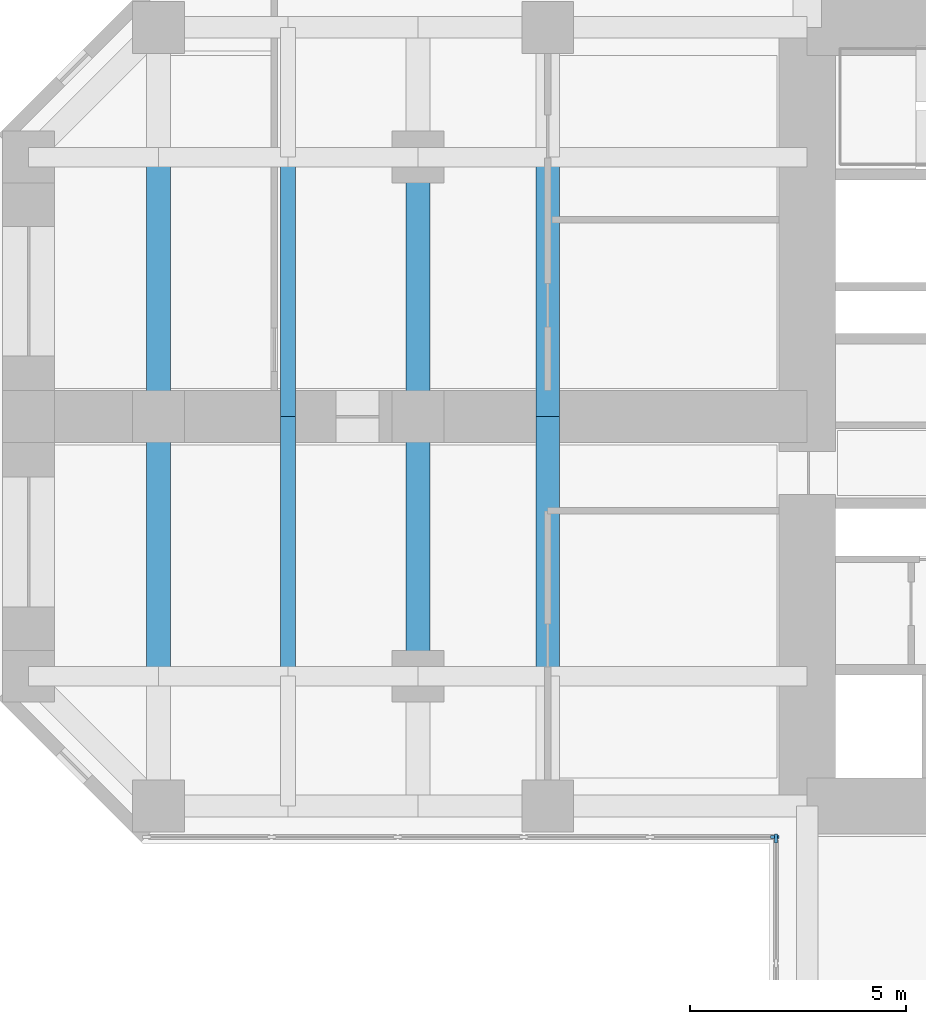
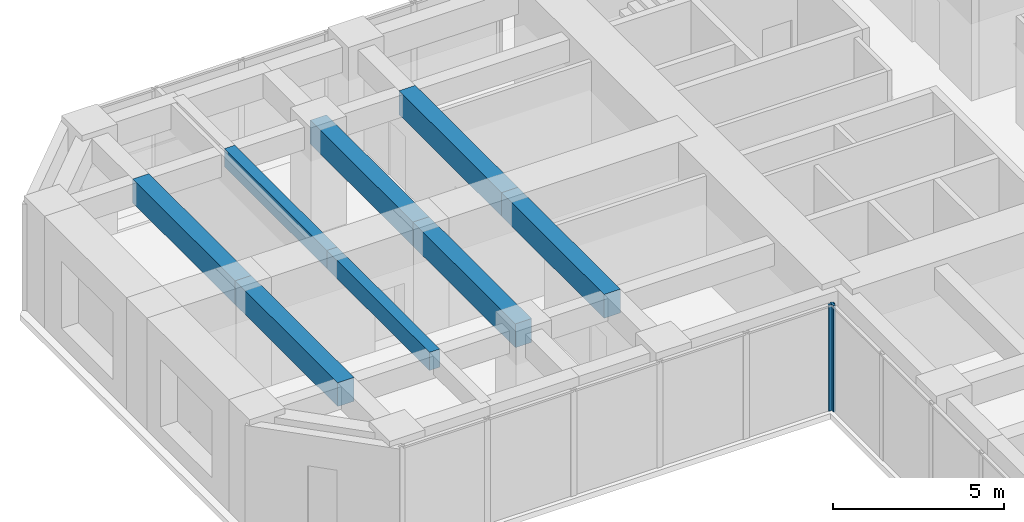
# One storey, part 3 of 12: 8 beams, 2 members, 2 elements without a shape of their own.
"""IFC4 building model written with IfcOpenShell, lengths in metres."""

from ifc_helpers import new_model, si_unit, direction, frame, origin, origin_2d, place, context, subcontext, project, spatial, rectangle, extrude, material, material_profile, profile_set, type_object, element, aggregate, save


model = new_model("IFC4")

# Units and contexts
model_context = context("Model", 3, precision=1e-05, world=origin(), true_north=direction((0.0, 1.0)))
body_context = subcontext(model_context, "Body", "Model", "MODEL_VIEW")
ifc_project = project(units=[si_unit("LENGTHUNIT", "METRE"), si_unit("AREAUNIT", "SQUARE_METRE"), si_unit("VOLUMEUNIT", "CUBIC_METRE"), si_unit("PLANEANGLEUNIT", "RADIAN"), si_unit("MASSUNIT", "GRAM", prefix="KILO")], contexts=[model_context])

# Site, building, storey
site_placement = place(None, origin())
site = spatial("IfcSite", under=ifc_project, at=site_placement, CompositionType="ELEMENT")
building_placement = place(site_placement, origin())
building = spatial("IfcBuilding", under=site, at=building_placement, Name="Torre Cruceta", CompositionType="ELEMENT")
storey_placement = place(building_placement, frame((0.0, 0.0, 79.5)))
storey = spatial("IfcBuildingStorey", under=building, at=storey_placement, Name="L19", CompositionType="ELEMENT", Elevation=79.5)

# Beams
ifc_material_1 = material(Name="Concrete G60 (fck 60 MPa)", Category="concrete")
ifc_material_profile_1 = material_profile(ifc_material_1, rectangle(XDim=0.550048828125, YDim=0.85009765625, at=origin_2d()), Name="RC 550X850")
ifc_profile_set_1 = profile_set([ifc_material_profile_1], Name="Concrete G60 (fck 60 MPa)")
beam_type_1 = type_object("IfcBeamType", Name="CROSS BEAM RC 550X850", PredefinedType="BEAM", material=ifc_profile_set_1)
for number, where, z_axis, x_axis, name in (
    (1, (-15.0, 6.0, 3.375), (0.0, -1.0, 0.0), (1.0, 0.0, 0.0), "GB4 L19 W cross15 2"),
    (2, (-15.0, 0.0, 3.375), (0.0, -1.0, 0.0), (1.0, 0.0, 0.0), "GB4 L19 W cross15 3"),
    (3, (-18.0, 6.0, 3.375), (0.0, -1.0, 0.0), (1.0, 0.0, 0.0), "GB4 L19 W cross18 2"),
    (4, (-18.0, 0.0, 3.375), (0.0, -1.0, 0.0), (1.0, 0.0, 0.0), "GB4 L19 W cross18 3"),
    (5, (-24.0, 6.0, 3.375), (0.0, -1.0, 0.0), (1.0, 0.0, 0.0), "GB4 L19 W cross24 2"),
    (6, (-24.0, 0.0, 3.375), (0.0, -1.0, 0.0), (1.0, 0.0, 0.0), "GB4 L19 W cross24 3"),
):
    element("IfcBeam", number, at=place(storey_placement, frame(where, z_axis=z_axis, x_axis=x_axis)), inside=storey, type_object=beam_type_1, Name=name, PredefinedType="BEAM", context=body_context, shape_type="SweptSolid", body=[
        extrude(rectangle(XDim=0.550048828125, YDim=0.85009765625, at=origin_2d()), origin(), (0.0, 0.0, 1.0), 6.0),
    ])

# Curtain wall, member
ifc_material_2 = material(Name="Aluminium unitised curtain wall", Category="aluminium")
curtain_wall_type = type_object("IfcCurtainWallType", Name="CURTAIN WALL CW-A OFFICE LOW RISE", PredefinedType="USERDEFINED", material=ifc_material_2)
curtain_wall_1_placement = place(storey_placement, origin())
curtain_wall_1 = element("IfcCurtainWall", 7, at=curtain_wall_1_placement, inside=storey, type_object=curtain_wall_type, Name="CW-A L19 W side 14", ObjectType="UNITISED", PredefinedType="USERDEFINED")
ifc_material_3 = material(Name="Aluminium mullion", Category="aluminium")
ifc_material_profile_2 = material_profile(ifc_material_3, rectangle(XDim=0.06494140625, YDim=0.199951171875, at=origin_2d()), Name="AL 65X200")
ifc_profile_set_2 = profile_set([ifc_material_profile_2], Name="Aluminium mullion")
member_type = type_object("IfcMemberType", Name="CW-A MULLION 65X200", PredefinedType="MULLION", material=ifc_profile_set_2)
member_1_placement = place(storey_placement, frame((-9.75244140625, -9.719970703125, 0.0), z_axis=(0.0, 0.0, 1.0), x_axis=(0.0, 1.0, 0.0)))
member_1 = element("IfcMember", 8, at=member_1_placement, type_object=member_type, Name="CW-A mullion 6", PredefinedType="MULLION", context=body_context, shape_type="SweptSolid", body=[
    extrude(rectangle(XDim=0.06494140625, YDim=0.199951171875, at=origin_2d()), origin(), (0.0, 0.0, 1.0), 3.800048828125),
])
aggregate(curtain_wall_1, [member_1])

curtain_wall_2_placement = place(storey_placement, origin())
curtain_wall_2 = element("IfcCurtainWall", 9, at=curtain_wall_2_placement, inside=storey, type_object=curtain_wall_type, Name="CW-A L19 S side 15", ObjectType="UNITISED", PredefinedType="USERDEFINED")
member_2_placement = place(storey_placement, frame((-9.719970703125, -9.75244140625, 0.0), z_axis=(0.0, 0.0, 1.0), x_axis=(1.0, 0.0, 0.0)))
member_2 = element("IfcMember", 10, at=member_2_placement, type_object=member_type, Name="CW-A mullion 1", PredefinedType="MULLION", context=body_context, shape_type="SweptSolid", body=[
    extrude(rectangle(XDim=0.06494140625, YDim=0.199951171875, at=origin_2d()), origin(), (0.0, 0.0, 1.0), 3.800048828125),
])
aggregate(curtain_wall_2, [member_2])

# Beams
ifc_material_4 = material(Name="Concrete G60 (fck 60 MPa)", Category="concrete")
ifc_material_profile_3 = material_profile(ifc_material_4, rectangle(XDim=0.35009765625, YDim=0.64990234375, at=origin_2d()), Name="RC 350X650")
ifc_profile_set_3 = profile_set([ifc_material_profile_3], Name="Concrete G60 (fck 60 MPa)")
beam_type_2 = type_object("IfcBeamType", Name="SECONDARY BEAM RC 350X650", PredefinedType="JOIST", material=ifc_profile_set_3)
for number, where, z_axis, x_axis, name in (
    (11, (-21.0, 6.0, 3.47509765625), (0.0, -1.0, 0.0), (1.0, 0.0, 0.0), "JB3 L19 W sec21 2"),
    (12, (-21.0, 0.0, 3.47509765625), (0.0, -1.0, 0.0), (1.0, 0.0, 0.0), "JB3 L19 W sec21 3"),
):
    element("IfcBeam", number, at=place(storey_placement, frame(where, z_axis=z_axis, x_axis=x_axis)), inside=storey, type_object=beam_type_2, Name=name, PredefinedType="JOIST", context=body_context, shape_type="SweptSolid", body=[
        extrude(rectangle(XDim=0.35009765625, YDim=0.64990234375, at=origin_2d()), origin(), (0.0, 0.0, 1.0), 6.0),
    ])

save(model, "model.ifc")
